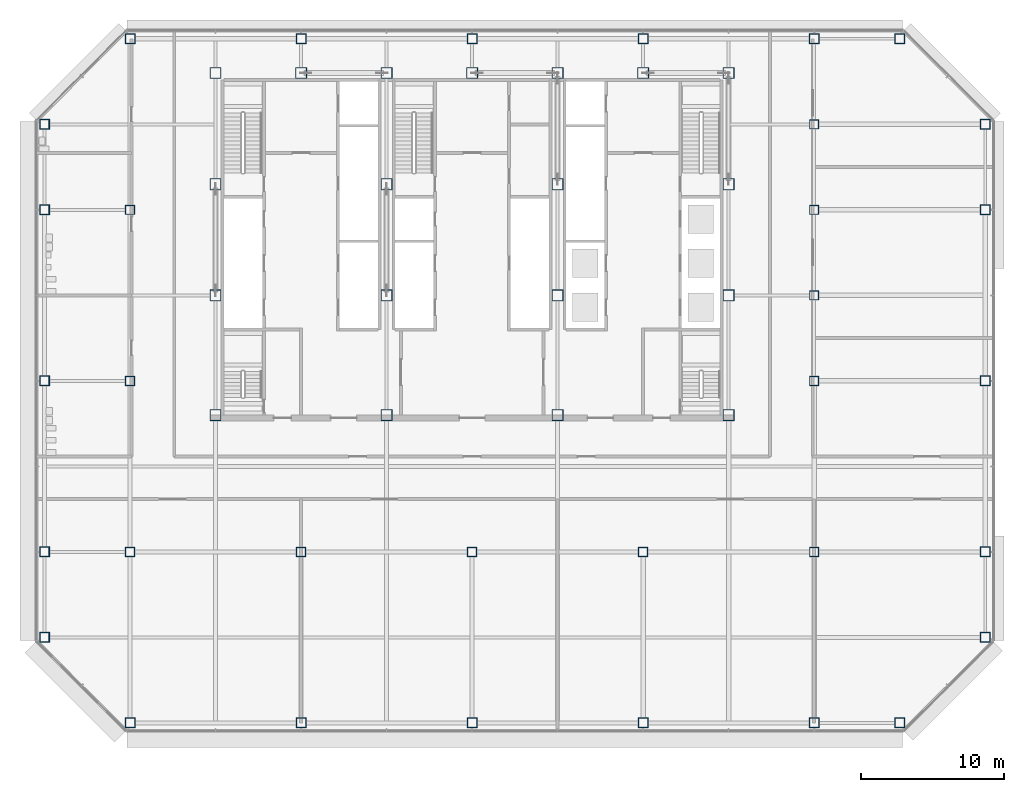
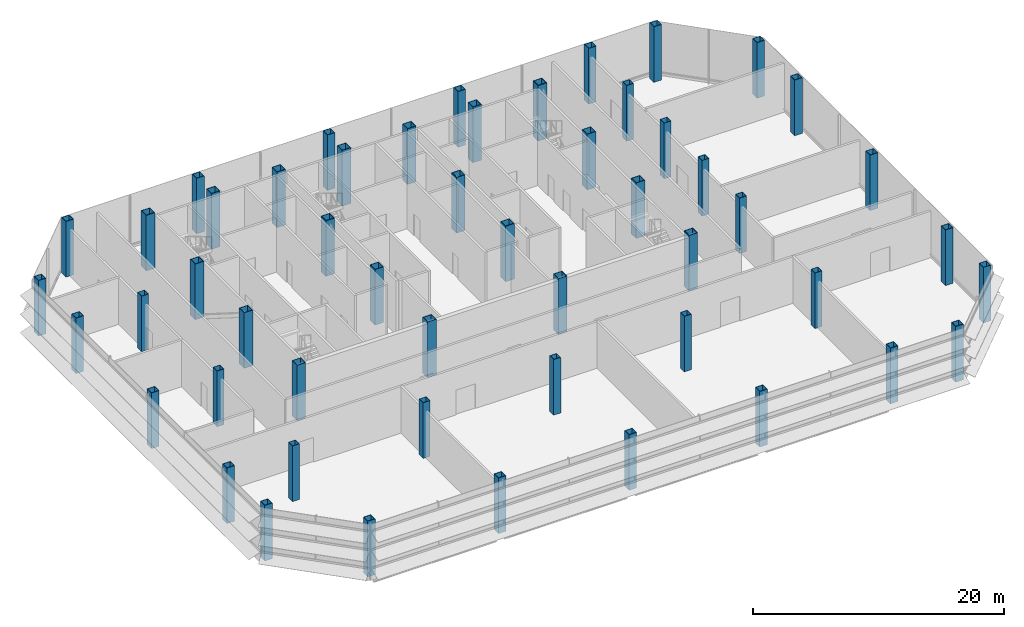
# One storey, part 1 of 24: 52 columns.
"""IFC4 building model written with IfcOpenShell, lengths in metres."""

import ifcopenshell
import ifcopenshell.guid

model = None  # the IFC model being written
_history = None  # IfcOwnerHistory: only IFC2X3 demands one
_inside = {}  # id of a spatial element -> (the spatial element, [elements in it])
_under = {}  # id of a project, library or spatial element -> (it, [spatial elements below it])
_declared = {}  # id of a project -> (the project, [libraries it declares])
_typed = {}  # id of a type object -> (the type object, [elements of that type])
_made_of = {}  # id of a material, layer set ... -> (it, [elements and type objects made of it])


def new_model(schema):
    """Start an empty IFC model of exactly this schema.

    Asked for "IFC4X3", IfcOpenShell would pick the latest addendum, in which some entities
    have other attributes; the version numbers below select the first issue.
    IFC2X3 requires an IfcOwnerHistory on every rooted entity: one is made here for all.
    """
    global model, _history
    if schema == "IFC4X3":
        model = ifcopenshell.file(schema_version=(4, 3, 0, 0))
    else:
        model = ifcopenshell.file(schema=schema)
    _inside.clear()
    _under.clear()
    _declared.clear()
    _typed.clear()
    _made_of.clear()
    _history = None
    if model.schema == "IFC2X3":
        org = make("IfcOrganization", Name="unknown")
        user = make(
            "IfcPersonAndOrganization",
            ThePerson=make("IfcPerson", FamilyName="unknown"),
            TheOrganization=org,
        )
        app = make(
            "IfcApplication",
            ApplicationDeveloper=org,
            Version="unknown",
            ApplicationFullName="unknown",
            ApplicationIdentifier="unknown",
        )
        _history = make(
            "IfcOwnerHistory",
            OwningUser=user,
            OwningApplication=app,
            ChangeAction="ADDED",
            CreationDate=0,
        )
    return model


def make(cls, **values):
    """One entity of the class cls with the attributes given. An attribute that is None is left unset."""
    return model.create_entity(
        cls, **{name: value for name, value in values.items() if value is not None}
    )


def rooted(cls, **values):
    """An entity with a GlobalId (a new one), such as an element, a storey or a relation."""
    return make(cls, GlobalId=ifcopenshell.guid.new(), OwnerHistory=_history, **values)


def si_unit(unit_type, name, prefix=None):
    """IfcSIUnit, for example si_unit("LENGTHUNIT", "METRE", prefix="MILLI")."""
    return make("IfcSIUnit", UnitType=unit_type, Prefix=prefix, Name=name)


def assignment(units):
    """IfcUnitAssignment: the units of a project."""
    return None if units is None else make("IfcUnitAssignment", Units=units)


def point(xyz):
    """IfcCartesianPoint."""
    return None if xyz is None else make("IfcCartesianPoint", Coordinates=xyz)


def direction(xyz):
    """IfcDirection."""
    return None if xyz is None else make("IfcDirection", DirectionRatios=xyz)


def frame(location, z_axis=None, x_axis=None):
    """IfcAxis2Placement3D, a coordinate frame: its origin and axes. An axis left out is left unset."""
    return make(
        "IfcAxis2Placement3D",
        Location=point(location),
        Axis=direction(z_axis),
        RefDirection=direction(x_axis),
    )


def frame_2d(location, x_axis=None):
    """IfcAxis2Placement2D, a coordinate frame in the plane: its origin and x axis."""
    return make(
        "IfcAxis2Placement2D", Location=point(location), RefDirection=direction(x_axis)
    )


def origin():
    """The frame at (0, 0, 0) with its axes left unset."""
    return frame((0.0, 0.0, 0.0))


def origin_2d():
    """The frame at (0, 0) in the plane with its x axis left unset."""
    return frame_2d((0.0, 0.0))


def place(relative_to, where):
    """IfcLocalPlacement: puts the frame where relative to a parent placement (None: the world)."""
    return make(
        "IfcLocalPlacement", PlacementRelTo=relative_to, RelativePlacement=where
    )


def context(
    kind, dimensions, precision=None, world=None, true_north=None, identifier=None
):
    """IfcGeometricRepresentationContext, for example the 3D "Model" context."""
    return make(
        "IfcGeometricRepresentationContext",
        ContextIdentifier=identifier,
        ContextType=kind,
        CoordinateSpaceDimension=dimensions,
        Precision=precision,
        WorldCoordinateSystem=world,
        TrueNorth=true_north,
    )


def subcontext(parent, identifier, kind, view, scale=None):
    """IfcGeometricRepresentationSubContext, for example "Body" below "Model"."""
    return make(
        "IfcGeometricRepresentationSubContext",
        ContextIdentifier=identifier,
        ContextType=kind,
        ParentContext=parent,
        TargetScale=scale,
        TargetView=view,
    )


def project(units=None, contexts=None):
    """IfcProject with its units and contexts."""
    return rooted(
        "IfcProject",
        Name="project",
        RepresentationContexts=contexts,
        UnitsInContext=assignment(units),
    )


def spatial(cls, under=None, at=None, **own):
    """A site, building, storey or space (cls), placed at a placement, below another one or the project."""
    s = rooted(cls, ObjectPlacement=at, **own)
    if under is not None:
        _under.setdefault(under.id(), (under, []))[1].append(s)
    return s


def profile(cls, at=None, kind="AREA", **sizes):
    """A parametric profile (cls). Its sizes go by their IFC names, for example OverallWidth=200.0."""
    return make(cls, ProfileType=kind, Position=at, **sizes)


def hollow_rectangle(**sizes):
    """IfcRectangleHollowProfileDef."""
    return profile("IfcRectangleHollowProfileDef", **sizes)


def extrude(swept, where, along, depth):
    """IfcExtrudedAreaSolid: the profile swept, set in the frame where, extruded along a direction by depth."""
    return make(
        "IfcExtrudedAreaSolid",
        SweptArea=swept,
        Position=where,
        ExtrudedDirection=direction(along),
        Depth=depth,
    )


def shape(context_of_items, identifier, shape_type, items):
    """IfcShapeRepresentation: the items that make up one representation, for example the "Body"."""
    return make(
        "IfcShapeRepresentation",
        ContextOfItems=context_of_items,
        RepresentationIdentifier=identifier,
        RepresentationType=shape_type,
        Items=items,
    )


def material(Name=None, Category=None):
    """IfcMaterial."""
    return make("IfcMaterial", Name=Name, Category=Category)


def material_profile(
    of_material, cross_section, Name=None, Category=None, Priority=None
):
    """IfcMaterialProfile: a cross section and its material."""
    return make(
        "IfcMaterialProfile",
        Name=Name,
        Material=of_material,
        Profile=cross_section,
        Priority=Priority,
        Category=Category,
    )


def profile_set(profiles, Name=None, composite=None):
    """IfcMaterialProfileSet."""
    return make(
        "IfcMaterialProfileSet",
        Name=Name,
        MaterialProfiles=profiles,
        CompositeProfile=composite,
    )


def made_of(thing, what):
    """Note that an element or type object is made of a material, layer set ...; save() writes the relation."""
    if what is not None:
        _made_of.setdefault(what.id(), (what, []))[1].append(thing)
    return thing


def type_object(cls, material=None, **own):
    """A type object (cls), such as IfcWallType, which elements share."""
    return made_of(rooted(cls, **own), material)


def element(
    cls,
    number,
    at=None,
    inside=None,
    cuts=None,
    type_object=None,
    material=None,
    context=None,
    identifier="Body",
    shape_type=None,
    held_by="IfcProductDefinitionShape",
    body=None,
    shapes=None,
    **own,
):
    """One element of the class cls, such as IfcWall. Its Tag is "e" and its number.

    at: its placement. inside: the storey or other place that contains it. cuts: it is an
    opening in that element (IfcRelVoidsElement). A single representation is given by context,
    identifier, shape_type and body (its items); several are given by shapes. held_by: the class
    of the entity that holds the representations. save() writes the other relations.
    """
    e = rooted(cls, Tag="e%d" % number, ObjectPlacement=at, **own)
    if body is not None:
        shapes = [shape(context, identifier, shape_type, body)]
    if shapes is not None:
        e.Representation = make(held_by, Representations=shapes)
    if inside is not None:
        _inside.setdefault(inside.id(), (inside, []))[1].append(e)
    if cuts is not None:
        rooted(
            "IfcRelVoidsElement", RelatingBuildingElement=cuts, RelatedOpeningElement=e
        )
    if type_object is not None:
        _typed.setdefault(type_object.id(), (type_object, []))[1].append(e)
    return made_of(e, material)


def aggregate(whole, parts):
    """IfcRelAggregates: a whole, such as a stair, and the parts it consists of."""
    return rooted("IfcRelAggregates", RelatingObject=whole, RelatedObjects=parts)


def save(model, path):
    """Write the relations noted so far, then the file.

    IfcRelAggregates (storeys below a building ...), IfcRelContainedInSpatialStructure (elements
    in a storey), IfcRelDefinesByType, IfcRelAssociatesMaterial and IfcRelDeclares: one each for
    every whole, place, type object, material and project.
    """
    for whole, parts in _under.values():
        aggregate(whole, parts)
    for where, things in _inside.values():
        rooted(
            "IfcRelContainedInSpatialStructure",
            RelatedElements=things,
            RelatingStructure=where,
        )
    for kind, things in _typed.values():
        rooted("IfcRelDefinesByType", RelatedObjects=things, RelatingType=kind)
    for what, things in _made_of.values():
        rooted("IfcRelAssociatesMaterial", RelatedObjects=things, RelatingMaterial=what)
    for by, libraries in _declared.values():
        rooted("IfcRelDeclares", RelatingContext=by, RelatedDefinitions=libraries)
    model.write(path)


model = new_model("IFC4")

# Units and contexts
model_context = context("Model", 3, precision=1e-05, world=origin(), true_north=direction((0.0, 1.0)))
body_context = subcontext(model_context, "Body", "Model", "MODEL_VIEW")
ifc_project = project(units=[si_unit("LENGTHUNIT", "METRE"), si_unit("AREAUNIT", "SQUARE_METRE"), si_unit("VOLUMEUNIT", "CUBIC_METRE"), si_unit("PLANEANGLEUNIT", "RADIAN"), si_unit("MASSUNIT", "GRAM", prefix="KILO")], contexts=[model_context])

# Site, building, storey
site_placement = place(None, origin())
site = spatial("IfcSite", under=ifc_project, at=site_placement, CompositionType="ELEMENT")
building_placement = place(site_placement, origin())
building = spatial("IfcBuilding", under=site, at=building_placement, Name="Sorahane Residences", CompositionType="ELEMENT")
storey_placement = place(building_placement, frame((0.0, 0.0, 161.800048828125)))
storey = spatial("IfcBuildingStorey", under=building, at=storey_placement, Name="L37", CompositionType="ELEMENT", Elevation=161.800048828125)

# Columns
ifc_material_1 = material(Name="Steel Q355B", Category="steel")
ifc_material_profile_1 = material_profile(ifc_material_1, hollow_rectangle(XDim=0.64990234375, YDim=0.64990234375, WallThickness=0.031982421875, at=origin_2d()), Name="BOX 650x650x32")
ifc_profile_set_1 = profile_set([ifc_material_profile_1], Name="Steel Q355B")
column_type_1 = type_object("IfcColumnType", Name="Steel box column BOX 650x650x32 Q355B", PredefinedType="COLUMN", material=ifc_profile_set_1)
for number, where, z_axis, x_axis, name in (
    (1, (0.0, 12.0, 0.0), (0.0, 0.0, 1.0), (1.0, 0.0, 0.0), "Column L37 0/12"),
    (2, (0.0, 24.0, 0.0), (0.0, 0.0, 1.0), (1.0, 0.0, 0.0), "Column L37 0/24"),
    (3, (0.0, 36.0, 0.0), (0.0, 0.0, 1.0), (1.0, 0.0, 0.0), "Column L37 0/36"),
    (4, (12.0, 12.0, 0.0), (0.0, 0.0, 1.0), (1.0, 0.0, 0.0), "Column L37 12/12"),
    (5, (24.0, 12.0, 0.0), (0.0, 0.0, 1.0), (1.0, 0.0, 0.0), "Column L37 24/12"),
    (6, (36.0, 12.0, 0.0), (0.0, 0.0, 1.0), (1.0, 0.0, 0.0), "Column L37 36/12"),
    (7, (48.0, 12.0, 0.0), (0.0, 0.0, 1.0), (1.0, 0.0, 0.0), "Column L37 48/12"),
    (8, (48.0, 24.0, 0.0), (0.0, 0.0, 1.0), (1.0, 0.0, 0.0), "Column L37 48/24"),
    (9, (48.0, 30.0, 0.0), (0.0, 0.0, 1.0), (1.0, 0.0, 0.0), "Column L37 48/30"),
    (10, (48.0, 36.0, 0.0), (0.0, 0.0, 1.0), (1.0, 0.0, 0.0), "Column L37 48/36"),
    (11, (48.0, 42.0, 0.0), (0.0, 0.0, 1.0), (1.0, 0.0, 0.0), "Column L37 48/42"),
):
    element("IfcColumn", number, at=place(storey_placement, frame(where, z_axis=z_axis, x_axis=x_axis)), inside=storey, type_object=column_type_1, Name=name, PredefinedType="COLUMN", context=body_context, shape_type="SweptSolid", body=[
        extrude(hollow_rectangle(XDim=0.64990234375, YDim=0.64990234375, WallThickness=0.031982421875, at=origin_2d()), origin(), (0.0, 0.0, 1.0), 5.39990234375),
    ])
ifc_material_2 = material(Name="Steel Q355B", Category="steel")
ifc_material_profile_2 = material_profile(ifc_material_2, hollow_rectangle(XDim=0.699951171875, YDim=0.699951171875, WallThickness=0.035888671875, at=origin_2d()), Name="BOX 700x700x36")
ifc_profile_set_2 = profile_set([ifc_material_profile_2], Name="Steel Q355B")
column_type_2 = type_object("IfcColumnType", Name="Steel box column BOX 700x700x36 Q355B", PredefinedType="COLUMN", material=ifc_profile_set_2)
for number, where, z_axis, x_axis, name in (
    (12, (-6.0, 6.0, 0.0), (0.0, 0.0, 1.0), (1.0, 0.0, 0.0), "Column L37 m6/6"),
    (13, (-6.0, 12.0, 0.0), (0.0, 0.0, 1.0), (1.0, 0.0, 0.0), "Column L37 m6/12"),
    (14, (-6.0, 24.0, 0.0), (0.0, 0.0, 1.0), (1.0, 0.0, 0.0), "Column L37 m6/24"),
    (15, (-6.0, 36.0, 0.0), (0.0, 0.0, 1.0), (1.0, 0.0, 0.0), "Column L37 m6/36"),
    (16, (-6.0, 42.0, 0.0), (0.0, 0.0, 1.0), (1.0, 0.0, 0.0), "Column L37 m6/42"),
    (17, (0.0, 0.0, 0.0), (0.0, 0.0, 1.0), (1.0, 0.0, 0.0), "Column L37 0/0"),
    (18, (0.0, 48.0, 0.0), (0.0, 0.0, 1.0), (1.0, 0.0, 0.0), "Column L37 0/48"),
    (19, (12.0, 0.0, 0.0), (0.0, 0.0, 1.0), (1.0, 0.0, 0.0), "Column L37 12/0"),
    (20, (12.0, 48.0, 0.0), (0.0, 0.0, 1.0), (1.0, 0.0, 0.0), "Column L37 12/48"),
    (21, (24.0, 0.0, 0.0), (0.0, 0.0, 1.0), (1.0, 0.0, 0.0), "Column L37 24/0"),
    (22, (24.0, 48.0, 0.0), (0.0, 0.0, 1.0), (1.0, 0.0, 0.0), "Column L37 24/48"),
    (23, (36.0, 0.0, 0.0), (0.0, 0.0, 1.0), (1.0, 0.0, 0.0), "Column L37 36/0"),
    (24, (36.0, 48.0, 0.0), (0.0, 0.0, 1.0), (1.0, 0.0, 0.0), "Column L37 36/48"),
    (25, (48.0, 0.0, 0.0), (0.0, 0.0, 1.0), (1.0, 0.0, 0.0), "Column L37 48/0"),
    (26, (48.0, 48.0, 0.0), (0.0, 0.0, 1.0), (1.0, 0.0, 0.0), "Column L37 48/48"),
    (27, (54.0, 0.0, 0.0), (0.0, 0.0, 1.0), (1.0, 0.0, 0.0), "Column L37 54/0"),
    (28, (54.0, 48.0, 0.0), (0.0, 0.0, 1.0), (1.0, 0.0, 0.0), "Column L37 54/48"),
    (29, (60.0, 6.0, 0.0), (0.0, 0.0, 1.0), (1.0, 0.0, 0.0), "Column L37 60/6"),
    (30, (60.0, 12.0, 0.0), (0.0, 0.0, 1.0), (1.0, 0.0, 0.0), "Column L37 60/12"),
    (31, (60.0, 24.0, 0.0), (0.0, 0.0, 1.0), (1.0, 0.0, 0.0), "Column L37 60/24"),
    (32, (60.0, 36.0, 0.0), (0.0, 0.0, 1.0), (1.0, 0.0, 0.0), "Column L37 60/36"),
    (33, (60.0, 42.0, 0.0), (0.0, 0.0, 1.0), (1.0, 0.0, 0.0), "Column L37 60/42"),
):
    element("IfcColumn", number, at=place(storey_placement, frame(where, z_axis=z_axis, x_axis=x_axis)), inside=storey, type_object=column_type_2, Name=name, PredefinedType="COLUMN", context=body_context, shape_type="SweptSolid", body=[
        extrude(hollow_rectangle(XDim=0.699951171875, YDim=0.699951171875, WallThickness=0.035888671875, at=origin_2d()), origin(), (0.0, 0.0, 1.0), 5.39990234375),
    ])
ifc_material_3 = material(Name="Steel Q420GJ", Category="steel")
ifc_material_profile_3 = material_profile(ifc_material_3, hollow_rectangle(XDim=0.800048828125, YDim=0.800048828125, WallThickness=0.044921875, at=origin_2d()), Name="BOX 800x800x45")
ifc_profile_set_3 = profile_set([ifc_material_profile_3], Name="Steel Q420GJ")
column_type_3 = type_object("IfcColumnType", Name="Steel box column BOX 800x800x45 Q420GJ", PredefinedType="COLUMN", material=ifc_profile_set_3)
for number, where, z_axis, x_axis, name in (
    (34, (6.0, 21.60009765625, 0.0), (0.0, 0.0, 1.0), (1.0, 0.0, 0.0), "Column L37 6/21.6"),
    (35, (6.0, 30.0, 0.0), (0.0, 0.0, 1.0), (1.0, 0.0, 0.0), "Column L37 6/30"),
    (36, (6.0, 37.800048828125, 0.0), (0.0, 0.0, 1.0), (1.0, 0.0, 0.0), "Column L37 6/37.8"),
    (37, (6.0, 45.60009765625, 0.0), (0.0, 0.0, 1.0), (1.0, 0.0, 0.0), "Column L37 6/45.6"),
    (38, (12.0, 45.60009765625, 0.0), (0.0, 0.0, 1.0), (1.0, 0.0, 0.0), "Column L37 12/45.6"),
    (39, (18.0, 21.60009765625, 0.0), (0.0, 0.0, 1.0), (1.0, 0.0, 0.0), "Column L37 18/21.6"),
    (40, (18.0, 30.0, 0.0), (0.0, 0.0, 1.0), (1.0, 0.0, 0.0), "Column L37 18/30"),
    (41, (18.0, 37.800048828125, 0.0), (0.0, 0.0, 1.0), (1.0, 0.0, 0.0), "Column L37 18/37.8"),
    (42, (18.0, 45.60009765625, 0.0), (0.0, 0.0, 1.0), (1.0, 0.0, 0.0), "Column L37 18/45.6"),
    (43, (24.0, 45.60009765625, 0.0), (0.0, 0.0, 1.0), (1.0, 0.0, 0.0), "Column L37 24/45.6"),
    (44, (30.0, 21.60009765625, 0.0), (0.0, 0.0, 1.0), (1.0, 0.0, 0.0), "Column L37 30/21.6"),
    (45, (30.0, 30.0, 0.0), (0.0, 0.0, 1.0), (1.0, 0.0, 0.0), "Column L37 30/30"),
    (46, (30.0, 37.800048828125, 0.0), (0.0, 0.0, 1.0), (1.0, 0.0, 0.0), "Column L37 30/37.8"),
    (47, (30.0, 45.60009765625, 0.0), (0.0, 0.0, 1.0), (1.0, 0.0, 0.0), "Column L37 30/45.6"),
    (48, (36.0, 45.60009765625, 0.0), (0.0, 0.0, 1.0), (1.0, 0.0, 0.0), "Column L37 36/45.6"),
    (49, (42.0, 21.60009765625, 0.0), (0.0, 0.0, 1.0), (1.0, 0.0, 0.0), "Column L37 42/21.6"),
    (50, (42.0, 30.0, 0.0), (0.0, 0.0, 1.0), (1.0, 0.0, 0.0), "Column L37 42/30"),
    (51, (42.0, 37.800048828125, 0.0), (0.0, 0.0, 1.0), (1.0, 0.0, 0.0), "Column L37 42/37.8"),
    (52, (42.0, 45.60009765625, 0.0), (0.0, 0.0, 1.0), (1.0, 0.0, 0.0), "Column L37 42/45.6"),
):
    element("IfcColumn", number, at=place(storey_placement, frame(where, z_axis=z_axis, x_axis=x_axis)), inside=storey, type_object=column_type_3, Name=name, PredefinedType="COLUMN", context=body_context, shape_type="SweptSolid", body=[
        extrude(hollow_rectangle(XDim=0.800048828125, YDim=0.800048828125, WallThickness=0.044921875, at=origin_2d()), origin(), (0.0, 0.0, 1.0), 5.39990234375),
    ])

save(model, "model.ifc")
